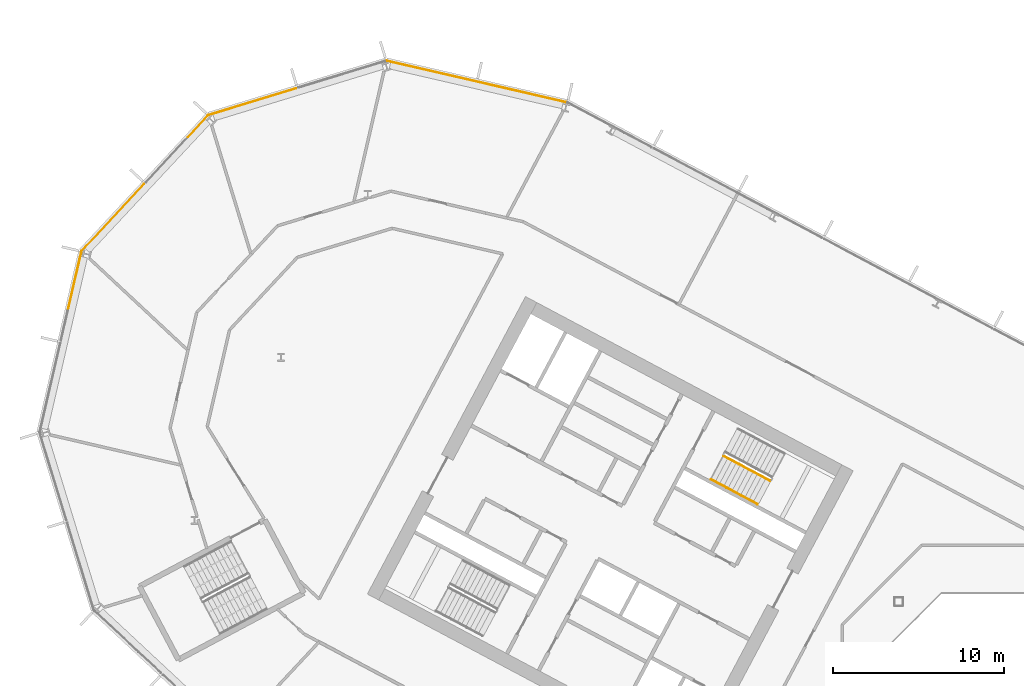
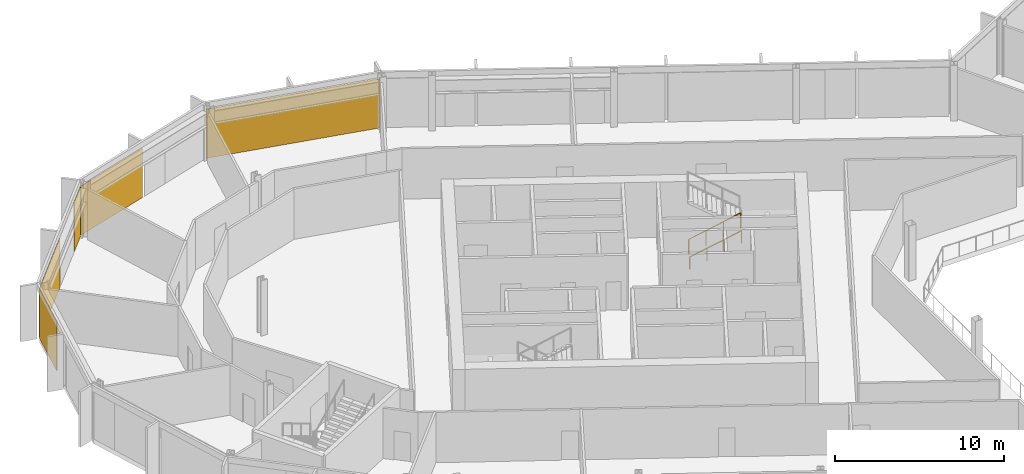
# One storey, part 22 of 28: 5 coverings, 2 railings, 4 elements without a shape of their own.
"""IFC4 building model written with IfcOpenShell, lengths in metres."""

from ifc_helpers import new_model, si_unit, direction, frame, origin, origin_2d, place, context, subcontext, project, spatial, polyline, rectangle, outline, extrude, material, layer, layer_set, type_object, element, aggregate, save


model = new_model("IFC4")

# Units and contexts
model_context = context("Model", 3, precision=1e-05, world=origin(), true_north=direction((0.0, 1.0)))
body_context = subcontext(model_context, "Body", "Model", "MODEL_VIEW")
ifc_project = project(units=[si_unit("LENGTHUNIT", "METRE"), si_unit("AREAUNIT", "SQUARE_METRE"), si_unit("VOLUMEUNIT", "CUBIC_METRE"), si_unit("PLANEANGLEUNIT", "RADIAN"), si_unit("MASSUNIT", "GRAM", prefix="KILO")], contexts=[model_context])

# Site, building, storey
site_placement = place(None, origin())
site = spatial("IfcSite", under=ifc_project, at=site_placement, CompositionType="ELEMENT")
building_placement = place(site_placement, origin())
building = spatial("IfcBuilding", under=site, at=building_placement, Name="Cormorant Relay Tower", CompositionType="ELEMENT")
storey_placement = place(building_placement, frame((0.0, 0.0, 122.199951171875)))
storey = spatial("IfcBuildingStorey", under=building, at=storey_placement, Name="L24", CompositionType="ELEMENT", Elevation=122.199951171875)

# Curtain wall, covering
ifc_material_1 = material(Name="Aluminium 6063-T6 anodised bronze", Category="aluminium")
ifc_layer_1 = layer(ifc_material_1, 0.199951171875)
ifc_layer_set_1 = layer_set([ifc_layer_1], Name="CW1 unitised bronze curtain wall with vertical fins")
curtain_wall_type = type_object("IfcCurtainWallType", Name="CW1 unitised bronze curtain wall with vertical fins", PredefinedType="NOTDEFINED", material=ifc_layer_set_1)
curtain_wall_1_placement = place(storey_placement, origin())
curtain_wall_1 = element("IfcCurtainWall", 1, at=curtain_wall_1_placement, inside=storey, type_object=curtain_wall_type, Name="CW1 curtain wall 10", PredefinedType="NOTDEFINED")
ifc_material_2 = material(Name="Pale bronze anodised aluminium insulated panel", Category="aluminium")
ifc_layer_2 = layer(ifc_material_2, 0.0400390625)
ifc_layer_set_2 = layer_set([ifc_layer_2], Name="CW1 pale bronze insulated panel 40")
covering_type = type_object("IfcCoveringType", Name="CW1 pale bronze insulated panel 40", PredefinedType="CLADDING", material=ifc_layer_set_2)
covering_1_placement = place(storey_placement, frame((-35.20166015625, 40.918701171875, 0.0), z_axis=(0.0, 0.0, 1.0), x_axis=(-0.974370064785, 0.224951054344, 0.0)))
covering_1 = element("IfcCovering", 2, at=covering_1_placement, type_object=covering_type, Name="CW1 panel S00", PredefinedType="CLADDING", context=body_context, shape_type="SweptSolid", body=[
    extrude(rectangle(XDim=10.79541015625, YDim=0.0400390625, at=origin_2d()), origin(), (0.0, 0.0, 1.0), 3.550048828125),
])
aggregate(curtain_wall_1, [covering_1])

curtain_wall_2_placement = place(storey_placement, origin())
curtain_wall_2 = element("IfcCurtainWall", 3, at=curtain_wall_2_placement, inside=storey, type_object=curtain_wall_type, Name="CW1 curtain wall 11", PredefinedType="NOTDEFINED")
covering_2_placement = place(storey_placement, frame((-48.3037109375, 39.73779296875, 0.0), z_axis=(0.0, 0.0, 1.0), x_axis=(-0.956304755963, -0.292371704723, 0.0)))
covering_2 = element("IfcCovering", 4, at=covering_2_placement, type_object=covering_type, Name="CW1 panel S02", PredefinedType="CLADDING", context=body_context, shape_type="SweptSolid", body=[
    extrude(rectangle(XDim=5.360107421875, YDim=0.0400390625, at=origin_2d()), origin(), (0.0, 0.0, 1.0), 3.550048828125),
])
aggregate(curtain_wall_2, [covering_2])

# Curtain wall, coverings
curtain_wall_3_placement = place(storey_placement, origin())
curtain_wall_3 = element("IfcCurtainWall", 5, at=curtain_wall_3_placement, inside=storey, type_object=curtain_wall_type, Name="CW1 curtain wall 12", PredefinedType="NOTDEFINED")
covering_3_placement = place(storey_placement, frame((-51.50146484375, 38.27783203125, 0.0), z_axis=(0.0, 0.0, 1.0), x_axis=(-0.681998360062, -0.731353701619, 0.0)))
covering_3 = element("IfcCovering", 6, at=covering_3_placement, type_object=covering_type, Name="CW1 panel S00", PredefinedType="CLADDING", context=body_context, shape_type="SweptSolid", body=[
    extrude(rectangle(XDim=1.685302734375, YDim=0.0400390625, at=origin_2d()), origin(), (0.0, 0.0, 1.0), 3.550048828125),
])
covering_4_placement = place(storey_placement, frame((-56.461181640625, 32.958984375, 0.0), z_axis=(0.0, 0.0, 1.0), x_axis=(-0.681998360062, -0.731353701619, 0.0)))
covering_4 = element("IfcCovering", 7, at=covering_4_placement, type_object=covering_type, Name="CW1 panel S02", PredefinedType="CLADDING", context=body_context, shape_type="SweptSolid", body=[
    extrude(rectangle(XDim=5.360107421875, YDim=0.0400390625, at=origin_2d()), origin(), (0.0, 0.0, 1.0), 3.550048828125),
])
aggregate(curtain_wall_3, [covering_3, covering_4])

# Curtain wall, covering
curtain_wall_4_placement = place(storey_placement, origin())
curtain_wall_4 = element("IfcCurtainWall", 8, at=curtain_wall_4_placement, inside=storey, type_object=curtain_wall_type, Name="CW1 curtain wall 13", PredefinedType="NOTDEFINED")
covering_5_placement = place(storey_placement, frame((-58.702880859375, 29.218505859375, 0.0), z_axis=(0.0, 0.0, 1.0), x_axis=(-0.224951054344, -0.974370064785, 0.0)))
covering_5 = element("IfcCovering", 9, at=covering_5_placement, type_object=covering_type, Name="CW1 panel S00", PredefinedType="CLADDING", context=body_context, shape_type="SweptSolid", body=[
    extrude(rectangle(XDim=3.485107421875, YDim=0.0400390625, at=origin_2d()), origin(), (0.0, 0.0, 1.0), 3.550048828125),
])
aggregate(curtain_wall_4, [covering_5])

# Railings
ifc_material_3 = material(Name="Steel ASTM A572 Grade 50 (Fy 345 MPa)", Category="steel")
railing_type_1 = type_object("IfcRailingType", Name="Stair guard 1100", PredefinedType="GUARDRAIL", material=ifc_material_3)
railing_1_placement = place(storey_placement, frame((-20.75048828125, 19.017822265625, 0.166748046875)))
element("IfcRailing", 10, at=railing_1_placement, inside=storey, type_object=railing_type_1, Name="L24 A1 stair guard 1", PredefinedType="GUARDRAIL", context=body_context, shape_type="SweptSolid", body=[
    extrude(outline(polyline([(0.022216796875, 0.00927734375), (0.00927734375, 0.022216796875), (-0.00927734375, 0.022216796875), (-0.022216796875, 0.00927734375), (-0.022216796875, -0.00927734375), (-0.00927734375, -0.022216796875), (0.00927734375, -0.022216796875), (0.022216796875, -0.00927734375), (0.022216796875, 0.00927734375)])), frame((0.0, 0.0, 1.076171875), z_axis=(0.758734504837, -0.403377838015, 0.511476559549), x_axis=(0.469427602063, 0.882970965786, 0.0)), (0.0, 0.0, 1.0), 3.584228515625),
    extrude(outline(polyline([(0.019287109375, 0.008056640625), (0.008056640625, 0.019287109375), (-0.008056640625, 0.019287109375), (-0.019287109375, 0.008056640625), (-0.019287109375, -0.008056640625), (-0.008056640625, -0.019287109375), (0.008056640625, -0.019287109375), (0.019287109375, -0.008056640625), (0.019287109375, 0.008056640625)])), origin(), (0.0, 0.0, 1.0), 1.052001953125),
    extrude(outline(polyline([(0.019287109375, 0.008056640625), (0.008056640625, 0.019287109375), (-0.008056640625, 0.019287109375), (-0.019287109375, 0.008056640625), (-0.019287109375, -0.008056640625), (-0.008056640625, -0.019287109375), (0.008056640625, -0.019287109375), (0.019287109375, -0.008056640625), (0.019287109375, 0.008056640625)])), frame((0.906494140625, -0.48193359375, 0.611083984375)), (0.0, 0.0, 1.0), 1.052001953125),
    extrude(outline(polyline([(0.019287109375, 0.008056640625), (0.008056640625, 0.019287109375), (-0.008056640625, 0.019287109375), (-0.019287109375, 0.008056640625), (-0.019287109375, -0.008056640625), (-0.008056640625, -0.019287109375), (0.008056640625, -0.019287109375), (0.019287109375, -0.008056640625), (0.019287109375, 0.008056640625)])), frame((1.81298828125, -0.9638671875, 1.22216796875)), (0.0, 0.0, 1.0), 1.052001953125),
    extrude(outline(polyline([(0.019287109375, 0.008056640625), (0.008056640625, 0.019287109375), (-0.008056640625, 0.019287109375), (-0.019287109375, 0.008056640625), (-0.019287109375, -0.008056640625), (-0.008056640625, -0.019287109375), (0.008056640625, -0.019287109375), (0.019287109375, -0.008056640625), (0.019287109375, 0.008056640625)])), frame((2.719482421875, -1.44580078125, 1.833251953125)), (0.0, 0.0, 1.0), 1.052001953125),
])
ifc_material_4 = material(Name="Steel ASTM A572 Grade 50 (Fy 345 MPa)", Category="steel")
railing_type_2 = type_object("IfcRailingType", Name="Stair handrail 900", PredefinedType="HANDRAIL", material=ifc_material_4)
railing_2_placement = place(storey_placement, frame((-21.478271484375, 17.6494140625, 0.166748046875)))
element("IfcRailing", 11, at=railing_2_placement, inside=storey, type_object=railing_type_2, Name="L24 A1 stair handrail 1", PredefinedType="HANDRAIL", context=body_context, shape_type="SweptSolid", body=[
    extrude(outline(polyline([(0.022216796875, 0.00927734375), (0.00927734375, 0.022216796875), (-0.00927734375, 0.022216796875), (-0.022216796875, 0.00927734375), (-0.022216796875, -0.00927734375), (-0.00927734375, -0.022216796875), (0.00927734375, -0.022216796875), (0.022216796875, -0.00927734375), (0.022216796875, 0.00927734375)])), frame((0.0, 0.0, 0.8759765625), z_axis=(0.758713656843, -0.403434867536, 0.511462505542), x_axis=(0.469489399267, 0.882938108802, 0.0)), (0.0, 0.0, 1.0), 3.584228515625),
    extrude(outline(polyline([(0.019287109375, 0.008056640625), (0.008056640625, 0.019287109375), (-0.008056640625, 0.019287109375), (-0.019287109375, 0.008056640625), (-0.019287109375, -0.008056640625), (-0.008056640625, -0.019287109375), (0.008056640625, -0.019287109375), (0.019287109375, -0.008056640625), (0.019287109375, 0.008056640625)])), origin(), (0.0, 0.0, 1.0), 0.851806640625),
    extrude(outline(polyline([(0.019287109375, 0.008056640625), (0.008056640625, 0.019287109375), (-0.008056640625, 0.019287109375), (-0.019287109375, 0.008056640625), (-0.019287109375, -0.008056640625), (-0.008056640625, -0.019287109375), (0.008056640625, -0.019287109375), (0.019287109375, -0.008056640625), (0.019287109375, 0.008056640625)])), frame((0.906494140625, -0.48193359375, 0.611083984375)), (0.0, 0.0, 1.0), 0.851806640625),
    extrude(outline(polyline([(0.019287109375, 0.008056640625), (0.008056640625, 0.019287109375), (-0.008056640625, 0.019287109375), (-0.019287109375, 0.008056640625), (-0.019287109375, -0.008056640625), (-0.008056640625, -0.019287109375), (0.008056640625, -0.019287109375), (0.019287109375, -0.008056640625), (0.019287109375, 0.008056640625)])), frame((1.81298828125, -0.964111328125, 1.22216796875)), (0.0, 0.0, 1.0), 0.851806640625),
    extrude(outline(polyline([(0.019287109375, 0.008056640625), (0.008056640625, 0.019287109375), (-0.008056640625, 0.019287109375), (-0.019287109375, 0.008056640625), (-0.019287109375, -0.008056640625), (-0.008056640625, -0.019287109375), (0.008056640625, -0.019287109375), (0.019287109375, -0.008056640625), (0.019287109375, 0.008056640625)])), frame((2.719482421875, -1.446044921875, 1.833251953125)), (0.0, 0.0, 1.0), 0.851806640625),
])

save(model, "model.ifc")
